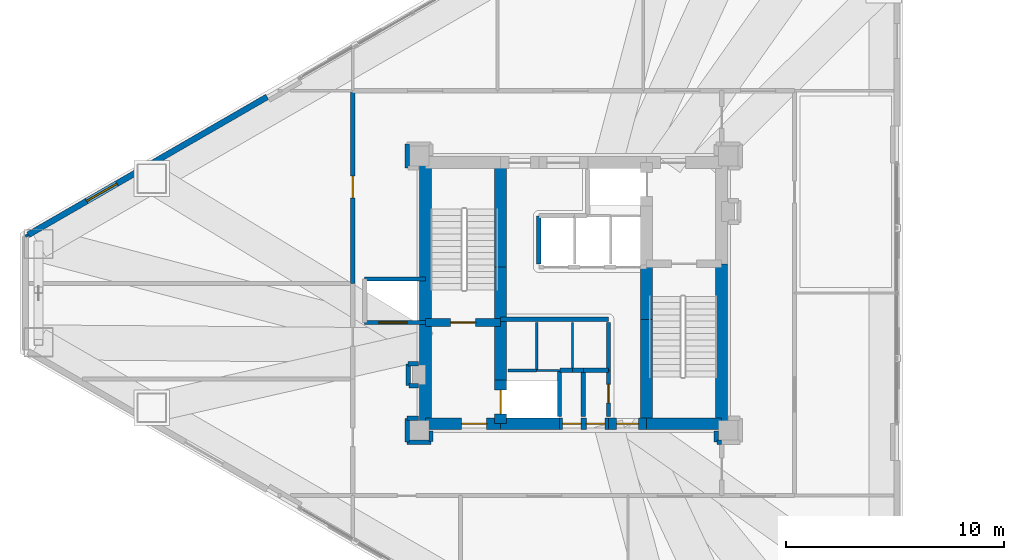
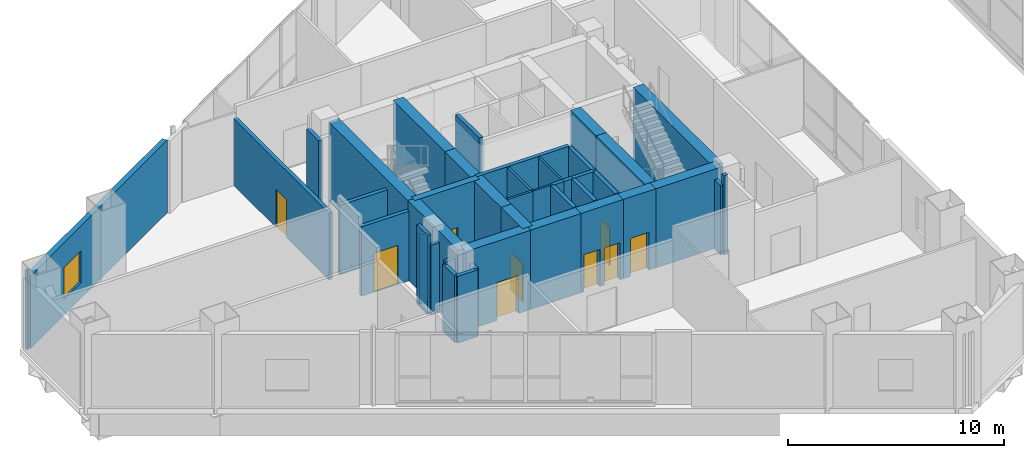
# One storey, part 22 of 29: 43 walls, 9 doors, 1 window, 10 openings.
"""IFC4 building model written with IfcOpenShell, lengths in metres."""

from ifc_helpers import new_model, si_unit, direction, frame, frame_2d, origin, place, context, subcontext, project, spatial, rectangle, extrude, material, layer, layer_set, type_object, element, fill, save


model = new_model("IFC4")

# Units and contexts
model_context = context("Model", 3, precision=1e-05, world=origin(), true_north=direction((0.0, 1.0)))
body_context = subcontext(model_context, "Body", "Model", "MODEL_VIEW")
ifc_project = project(units=[si_unit("LENGTHUNIT", "METRE"), si_unit("AREAUNIT", "SQUARE_METRE"), si_unit("VOLUMEUNIT", "CUBIC_METRE"), si_unit("PLANEANGLEUNIT", "RADIAN"), si_unit("MASSUNIT", "GRAM", prefix="KILO")], contexts=[model_context])

# Site, building, storey
site_placement = place(None, origin())
site = spatial("IfcSite", under=ifc_project, at=site_placement, CompositionType="ELEMENT")
building_placement = place(site_placement, origin())
building = spatial("IfcBuilding", under=site, at=building_placement, Name="Mersakhor Tower and Convention Hall", CompositionType="ELEMENT")
storey_placement = place(building_placement, frame((0.0, 0.0, 9.60009765625)))
storey = spatial("IfcBuildingStorey", under=building, at=storey_placement, Name="L02", CompositionType="ELEMENT", Elevation=9.60009765625)

# Wall, opening, window
ifc_material_1 = material(Name="Precast concrete C45/55", Category="concrete")
ifc_layer_1 = layer(ifc_material_1, 0.27490234375)
ifc_layer_set_1 = layer_set([ifc_layer_1], Name="Precast concrete C45/55")
wall_type_1 = type_object("IfcWallType", Name="WL-EXT-275", PredefinedType="SOLIDWALL", material=ifc_layer_set_1)
wall_1_placement = place(storey_placement, frame((3.943115234375, 29.4306640625, 0.0), z_axis=(0.0, 0.0, 1.0), x_axis=(0.866027105532, 0.499997052475, 0.0)))
wall_1 = element("IfcWall", 1, at=wall_1_placement, inside=storey, type_object=wall_type_1, Name="L02 Exterior Facade Wall F1-B1", PredefinedType="SOLIDWALL", context=body_context, shape_type="SweptSolid", body=[
    extrude(rectangle(XDim=12.6728515625, YDim=0.27490234375, at=frame_2d((6.33642578125, 0.0))), origin(), (0.0, 0.0, 1.0), 4.099853515625),
])
opening_1_placement = place(wall_1_placement, frame((3.10009765625, 0.0, 0.89990234375)))
opening_1 = element("IfcOpeningElement", 2, at=opening_1_placement, cuts=wall_1, Name="Opening W-07", PredefinedType="OPENING", context=body_context, shape_type="SweptSolid", body=[
    extrude(rectangle(XDim=1.60009765625, YDim=1.800048828125, at=frame_2d((0.800048828125, 0.89990234375))), frame((0.0, 0.1474609375, 0.0), z_axis=(0.0, -1.0, 0.0), x_axis=(1.0, 0.0, 0.0)), (0.0, 0.0, 1.0), 0.294921875),
])
ifc_material_2 = material(Name="Dark solar low-E glazed aluminium window", Category="aluminium")
window_type = type_object("IfcWindowType", Name="WN-CLN-160x180", PartitioningType="SINGLE_PANEL", PredefinedType="WINDOW", material=ifc_material_2)
window_placement = place(opening_1_placement, origin())
window = element("IfcWindow", 3, at=window_placement, inside=storey, type_object=window_type, Name="L02 Facade Punched Window F1-B1", OverallHeight=1.800048828125, OverallWidth=1.60009765625, PartitioningType="SINGLE_PANEL", PredefinedType="WINDOW", context=body_context, shape_type="SweptSolid", body=[
    extrude(rectangle(XDim=1.60009765625, YDim=1.800048828125, at=frame_2d((0.800048828125, 0.89990234375))), frame((0.0, 0.030029296875, 0.0), z_axis=(0.0, -1.0, 0.0), x_axis=(1.0, 0.0, 0.0)), (0.0, 0.0, 1.0), 0.06005859375),
])
fill(opening_1, window)

# Walls
ifc_material_3 = material(Name="Lightweight gypsum partition", Category="other")
ifc_layer_2 = layer(ifc_material_3, 0.10009765625)
ifc_layer_set_2 = layer_set([ifc_layer_2], Name="Lightweight gypsum partition")
wall_type_2 = type_object("IfcWallType", Name="WL-PRT-100", PredefinedType="PARTITIONING", material=ifc_layer_set_2)
wall_2_placement = place(storey_placement, frame((27.300048828125, 23.199951171875, 0.0), z_axis=(0.0, 0.0, 1.0), x_axis=(1.0, 0.0, 0.0)))
element("IfcWall", 4, at=wall_2_placement, inside=storey, type_object=wall_type_2, Name="L02 Interior Partition Wall P-002", PredefinedType="PARTITIONING", context=body_context, shape_type="SweptSolid", body=[
    extrude(rectangle(XDim=1.050048828125, YDim=0.10009765625, at=frame_2d((0.52490234375, 0.0))), origin(), (0.0, 0.0, 1.0), 4.47998046875),
])
wall_3_placement = place(storey_placement, frame((28.949951171875, 25.39990234375, 0.0), z_axis=(0.0, 0.0, 1.0), x_axis=(0.0, -1.0, 0.0)))
element("IfcWall", 5, at=wall_3_placement, inside=storey, type_object=wall_type_2, Name="L02 Interior Partition Wall P-008", PredefinedType="PARTITIONING", context=body_context, shape_type="SweptSolid", body=[
    extrude(rectangle(XDim=2.199951171875, YDim=0.10009765625, at=frame_2d((1.10009765625, 0.0))), origin(), (0.0, 0.0, 1.0), 4.47998046875),
])
ifc_material_4 = material(Name="Gypsum board acoustic partition", Category="other")
ifc_layer_3 = layer(ifc_material_4, 0.125)
ifc_layer_set_3 = layer_set([ifc_layer_3], Name="Gypsum board acoustic partition")
wall_type_3 = type_object("IfcWallType", Name="WL-PRT-125", PredefinedType="PARTITIONING", material=ifc_layer_set_3)
wall_4_placement = place(storey_placement, frame((25.97509765625, 23.199951171875, 0.0), z_axis=(0.0, 0.0, 1.0), x_axis=(1.0, 0.0, 0.0)))
element("IfcWall", 6, at=wall_4_placement, inside=storey, type_object=wall_type_3, Name="L02 Interior Partition Wall P-001", PredefinedType="PARTITIONING", context=body_context, shape_type="SweptSolid", body=[
    extrude(rectangle(XDim=1.324951171875, YDim=0.125, at=frame_2d((0.66259765625, 0.0))), origin(), (0.0, 0.0, 1.0), 4.47998046875),
])
wall_5_placement = place(storey_placement, frame((27.300048828125, 25.39990234375, 0.0), z_axis=(0.0, 0.0, 1.0), x_axis=(0.0, -1.0, 0.0)))
element("IfcWall", 7, at=wall_5_placement, inside=storey, type_object=wall_type_3, Name="L02 Interior Partition Wall P-007", PredefinedType="PARTITIONING", context=body_context, shape_type="SweptSolid", body=[
    extrude(rectangle(XDim=2.199951171875, YDim=0.125, at=frame_2d((1.10009765625, 0.0))), origin(), (0.0, 0.0, 1.0), 4.47998046875),
])
wall_6_placement = place(storey_placement, frame((3.81298828125, 29.35595703125, 0.0), z_axis=(0.0, 0.0, 1.0), x_axis=(0.866131372301, 0.499816412211, 0.0)))
element("IfcWall", 8, at=wall_6_placement, inside=storey, type_object=wall_type_3, Name="L02 Interior Partition Wall P-105", PredefinedType="PARTITIONING", context=body_context, shape_type="SweptSolid", body=[
    extrude(rectangle(XDim=0.14990234375, YDim=0.125, at=frame_2d((0.074951171875, 0.0))), origin(), (0.0, 0.0, 1.0), 4.47998046875),
])
ifc_material_5 = material(Name="Acoustic concrete blockwork and gypsum board", Category="masonry")
ifc_layer_4 = layer(ifc_material_5, 0.199951171875)
ifc_layer_set_4 = layer_set([ifc_layer_4], Name="Acoustic concrete blockwork and gypsum board")
wall_type_4 = type_object("IfcWallType", Name="WL-PRT-200", PredefinedType="PARTITIONING", material=ifc_layer_set_4)
wall_7_placement = place(storey_placement, frame((25.64990234375, 25.550048828125, 0.0), z_axis=(0.0, 0.0, 1.0), x_axis=(1.0, 0.0, 0.0)))
element("IfcWall", 9, at=wall_7_placement, inside=storey, type_object=wall_type_4, Name="L02 High-Rise Lift Bank Front Wall", PredefinedType="PARTITIONING", context=body_context, shape_type="SweptSolid", body=[
    extrude(rectangle(XDim=4.9501953125, YDim=0.199951171875, at=frame_2d((2.47509765625, 0.0))), origin(), (0.0, 0.0, 1.0), 4.47998046875),
])
wall_8_placement = place(storey_placement, frame((19.39990234375, 27.39990234375, 0.0), z_axis=(0.0, 0.0, 1.0), x_axis=(1.0, 0.0, 0.0)))
element("IfcWall", 10, at=wall_8_placement, inside=storey, type_object=wall_type_4, Name="L02 Clinic Lift North Wall", PredefinedType="PARTITIONING", context=body_context, shape_type="SweptSolid", body=[
    extrude(rectangle(XDim=2.800048828125, YDim=0.199951171875, at=frame_2d((1.39990234375, 0.0))), origin(), (0.0, 0.0, 1.0), 3.92822265625),
])

# Wall, opening, door
wall_9_placement = place(storey_placement, frame((22.199951171875, 25.39990234375, 0.0), z_axis=(0.0, 0.0, 1.0), x_axis=(-1.0, 0.0, 0.0)))
wall_9 = element("IfcWall", 11, at=wall_9_placement, inside=storey, type_object=wall_type_4, Name="L02 Clinic Lift Front Wall", PredefinedType="PARTITIONING", context=body_context, shape_type="SweptSolid", body=[
    extrude(rectangle(XDim=2.800048828125, YDim=0.199951171875, at=frame_2d((1.39990234375, 0.0))), origin(), (0.0, 0.0, 1.0), 3.92822265625),
])
opening_2_placement = place(wall_9_placement, frame((0.85009765625, 0.0, 0.0)))
opening_2 = element("IfcOpeningElement", 12, at=opening_2_placement, cuts=wall_9, Name="Opening LD-CL1", PredefinedType="OPENING", context=body_context, shape_type="SweptSolid", body=[
    extrude(rectangle(XDim=1.300048828125, YDim=2.199951171875, at=frame_2d((0.64990234375, 1.10009765625))), frame((0.0, 0.10986328125, 0.0), z_axis=(0.0, -1.0, 0.0), x_axis=(1.0, 0.0, 0.0)), (0.0, 0.0, 1.0), 0.219970703125),
])
ifc_material_6 = material(Name="Fire-rated brushed stainless steel sliding landing door", Category="steel")
door_type_1 = type_object("IfcDoorType", Name="DR-LIFT-SLD-130x220", OperationType="NOTDEFINED", PredefinedType="DOOR", material=ifc_material_6)
door_1_placement = place(opening_2_placement, origin())
door_1 = element("IfcDoor", 13, at=door_1_placement, inside=storey, type_object=door_type_1, Name="L02 Clinic Stretcher Lift Landing Door LD-CL1", OperationType="SLIDING_TO_LEFT", OverallHeight=2.199951171875, OverallWidth=1.300048828125, PredefinedType="DOOR", context=body_context, shape_type="SweptSolid", body=[
    extrude(rectangle(XDim=1.300048828125, YDim=2.199951171875, at=frame_2d((0.64990234375, 1.10009765625))), frame((0.0, 0.02490234375, 0.0), z_axis=(0.0, -1.0, 0.0), x_axis=(1.0, 0.0, 0.0)), (0.0, 0.0, 1.0), 0.050048828125),
])
fill(opening_2, door_1)

# Walls
wall_10_placement = place(storey_placement, frame((28.35009765625, 23.199951171875, 0.0), z_axis=(0.0, 0.0, 1.0), x_axis=(0.0, -1.0, 0.0)))
element("IfcWall", 14, at=wall_10_placement, inside=storey, type_object=wall_type_4, Name="L02 Interior Partition Wall P-003", PredefinedType="PARTITIONING", context=body_context, shape_type="SweptSolid", body=[
    extrude(rectangle(XDim=2.125, YDim=0.199951171875, at=frame_2d((1.0625, 0.0))), origin(), (0.0, 0.0, 1.0), 4.47998046875),
])
wall_11_placement = place(storey_placement, frame((28.949951171875, 23.199951171875, 0.0), z_axis=(0.0, 0.0, 1.0), x_axis=(-1.0, 0.0, 0.0)))
element("IfcWall", 15, at=wall_11_placement, inside=storey, type_object=wall_type_4, Name="L02 Interior Partition Wall P-009", PredefinedType="PARTITIONING", context=body_context, shape_type="SweptSolid", body=[
    extrude(rectangle(XDim=0.570068359375, YDim=0.199951171875, at=frame_2d((0.28515625, 0.0))), origin(), (0.0, 0.0, 1.0), 4.47998046875),
])
wall_12_placement = place(storey_placement, frame((30.60009765625, 25.39990234375, 0.0), z_axis=(0.0, 0.0, 1.0), x_axis=(0.0, -1.0, 0.0)))
element("IfcWall", 16, at=wall_12_placement, inside=storey, type_object=wall_type_4, Name="L02 Interior Partition Wall P-010", PredefinedType="PARTITIONING", context=body_context, shape_type="SweptSolid", body=[
    extrude(rectangle(XDim=2.199951171875, YDim=0.199951171875, at=frame_2d((1.10009765625, 0.0))), origin(), (0.0, 0.0, 1.0), 4.47998046875),
])
wall_13_placement = place(storey_placement, frame((30.60009765625, 23.199951171875, 0.0), z_axis=(0.0, 0.0, 1.0), x_axis=(-1.0, 0.0, 0.0)))
element("IfcWall", 17, at=wall_13_placement, inside=storey, type_object=wall_type_4, Name="L02 Interior Partition Wall P-011", PredefinedType="PARTITIONING", context=body_context, shape_type="SweptSolid", body=[
    extrude(rectangle(XDim=1.150146484375, YDim=0.199951171875, at=frame_2d((0.5751953125, 0.0))), origin(), (0.0, 0.0, 1.0), 4.47998046875),
])
wall_14_placement = place(storey_placement, frame((29.449951171875, 23.199951171875, 0.0), z_axis=(0.0, 0.0, 1.0), x_axis=(-1.0, 0.0, 0.0)))
element("IfcWall", 18, at=wall_14_placement, inside=storey, type_object=wall_type_4, Name="L02 Interior Partition Wall P-012", PredefinedType="PARTITIONING", context=body_context, shape_type="SweptSolid", body=[
    extrude(rectangle(XDim=0.5, YDim=0.199951171875, at=frame_2d((0.25, 0.0))), origin(), (0.0, 0.0, 1.0), 4.47998046875),
])
wall_15_placement = place(storey_placement, frame((27.39990234375, 28.10009765625, 0.0), z_axis=(0.0, 0.0, 1.0), x_axis=(0.0, 1.0, 0.0)))
element("IfcWall", 19, at=wall_15_placement, inside=storey, type_object=wall_type_4, Name="L02 Interior Partition Wall P-015", PredefinedType="PARTITIONING", context=body_context, shape_type="SweptSolid", body=[
    extrude(rectangle(XDim=2.199951171875, YDim=0.199951171875, at=frame_2d((1.10009765625, 0.0))), origin(), (0.0, 0.0, 1.0), 4.47998046875),
])

# Wall, opening, door
wall_16_placement = place(storey_placement, frame((30.60009765625, 21.074951171875, 0.0), z_axis=(0.0, 0.0, 1.0), x_axis=(0.0, 1.0, 0.0)))
wall_16 = element("IfcWall", 20, at=wall_16_placement, inside=storey, type_object=wall_type_4, Name="L02 Interior Partition Wall P-018", PredefinedType="PARTITIONING", context=body_context, shape_type="SweptSolid", body=[
    extrude(rectangle(XDim=2.125, YDim=0.199951171875, at=frame_2d((1.0625, 0.0))), origin(), (0.0, 0.0, 1.0), 4.47998046875),
])
opening_3_placement = place(wall_16_placement, frame((0.637451171875, 0.0, 0.0)))
opening_3 = element("IfcOpeningElement", 21, at=opening_3_placement, cuts=wall_16, Name="Opening SVD-01", PredefinedType="OPENING", context=body_context, shape_type="SweptSolid", body=[
    extrude(rectangle(XDim=0.85009765625, YDim=2.10009765625, at=frame_2d((0.425048828125, 1.050048828125))), frame((0.0, 0.10986328125, 0.0), z_axis=(0.0, -1.0, 0.0), x_axis=(1.0, 0.0, 0.0)), (0.0, 0.0, 1.0), 0.219970703125),
])
ifc_material_7 = material(Name="Fire-rated hardwood leaf and painted steel frame", Category="steel")
door_type_2 = type_object("IfcDoorType", Name="DR-INT-SVC-085x210", OperationType="NOTDEFINED", PredefinedType="DOOR", material=ifc_material_7)
door_2_placement = place(opening_3_placement, origin())
door_2 = element("IfcDoor", 22, at=door_2_placement, inside=storey, type_object=door_type_2, Name="L02 Central Passenger Lift Lobby to Core Maintenance Store Room Door", OperationType="SINGLE_SWING_RIGHT", OverallHeight=2.10009765625, OverallWidth=0.85009765625, PredefinedType="DOOR", context=body_context, shape_type="SweptSolid", body=[
    extrude(rectangle(XDim=0.85009765625, YDim=2.10009765625, at=frame_2d((0.425048828125, 1.050048828125))), frame((0.0, 0.02490234375, 0.0), z_axis=(0.0, -1.0, 0.0), x_axis=(1.0, 0.0, 0.0)), (0.0, 0.0, 1.0), 0.050048828125),
])
fill(opening_3, door_2)

# Walls
wall_17_placement = place(storey_placement, frame((21.875, 21.0, 0.0), z_axis=(0.0, 0.0, 1.0), x_axis=(-1.0, 0.0, 0.0)))
element("IfcWall", 23, at=wall_17_placement, inside=storey, type_object=wall_type_4, Name="L02 Interior Partition Wall P-036", PredefinedType="PARTITIONING", context=body_context, shape_type="SweptSolid", body=[
    extrude(rectangle(XDim=0.52490234375, YDim=0.199951171875, at=frame_2d((0.262451171875, 0.0))), origin(), (0.0, 0.0, 1.0), 3.92822265625),
])
wall_18_placement = place(storey_placement, frame((21.35009765625, 21.0, 0.0), z_axis=(0.0, 0.0, 1.0), x_axis=(0.0, -1.0, 0.0)))
element("IfcWall", 24, at=wall_18_placement, inside=storey, type_object=wall_type_4, Name="L02 Interior Partition Wall P-037", PredefinedType="PARTITIONING", context=body_context, shape_type="SweptSolid", body=[
    extrude(rectangle(XDim=1.10009765625, YDim=0.199951171875, at=frame_2d((0.550048828125, 0.0))), origin(), (0.0, 0.0, 1.0), 3.77734375),
])
wall_19_placement = place(storey_placement, frame((21.35009765625, 19.89990234375, 0.0), z_axis=(0.0, 0.0, 1.0), x_axis=(1.0, 0.0, 0.0)))
element("IfcWall", 25, at=wall_19_placement, inside=storey, type_object=wall_type_4, Name="L02 Interior Partition Wall P-038", PredefinedType="PARTITIONING", context=body_context, shape_type="SweptSolid", body=[
    extrude(rectangle(XDim=1.099853515625, YDim=0.199951171875, at=frame_2d((0.5498046875, 0.0))), origin(), (0.0, 0.0, 1.0), 3.77734375),
])
wall_20_placement = place(storey_placement, frame((22.449951171875, 19.929931640625, 0.0), z_axis=(0.0, 0.0, 1.0), x_axis=(0.0, 1.0, 0.0)))
element("IfcWall", 26, at=wall_20_placement, inside=storey, type_object=wall_type_4, Name="L02 Interior Partition Wall P-039", PredefinedType="PARTITIONING", context=body_context, shape_type="SweptSolid", body=[
    extrude(rectangle(XDim=0.4951171875, YDim=0.199951171875, at=frame_2d((0.24755859375, 0.0))), origin(), (0.0, 0.0, 1.0), 3.77734375),
])
wall_21_placement = place(storey_placement, frame((35.550048828125, 20.425048828125, 0.0), z_axis=(0.0, 0.0, 1.0), x_axis=(0.0, -1.0, 0.0)))
element("IfcWall", 27, at=wall_21_placement, inside=storey, type_object=wall_type_4, Name="L02 Interior Partition Wall P-040", PredefinedType="PARTITIONING", context=body_context, shape_type="SweptSolid", body=[
    extrude(rectangle(XDim=0.525146484375, YDim=0.199951171875, at=frame_2d((0.2626953125, 0.0))), origin(), (0.0, 0.0, 1.0), 3.92822265625),
])
wall_22_placement = place(storey_placement, frame((35.580078125, 19.89990234375, 0.0), z_axis=(0.0, 0.0, 1.0), x_axis=(1.0, 0.0, 0.0)))
element("IfcWall", 28, at=wall_22_placement, inside=storey, type_object=wall_type_4, Name="L02 Interior Partition Wall P-041", PredefinedType="PARTITIONING", context=body_context, shape_type="SweptSolid", body=[
    extrude(rectangle(XDim=0.219970703125, YDim=0.199951171875, at=frame_2d((0.10986328125, 0.0))), origin(), (0.0, 0.0, 1.0), 4.47998046875),
])

# Wall, opening, door
wall_23_placement = place(storey_placement, frame((18.85009765625, 27.199951171875, 0.0), z_axis=(0.0, 0.0, 1.0), x_axis=(0.0, 1.0, 0.0)))
wall_23 = element("IfcWall", 29, at=wall_23_placement, inside=storey, type_object=wall_type_4, Name="L02 Interior Partition Wall P-048", PredefinedType="PARTITIONING", context=body_context, shape_type="SweptSolid", body=[
    extrude(rectangle(XDim=8.85009765625, YDim=0.199951171875, at=frame_2d((4.425048828125, 0.0))), origin(), (0.0, 0.0, 1.0), 3.77734375),
])
opening_4_placement = place(wall_23_placement, frame((3.925048828125, 0.0, 0.0)))
opening_4 = element("IfcOpeningElement", 30, at=opening_4_placement, cuts=wall_23, Name="Opening FD-01", PredefinedType="OPENING", context=body_context, shape_type="SweptSolid", body=[
    extrude(rectangle(XDim=1.0, YDim=2.14990234375, at=frame_2d((0.5, 1.074951171875))), frame((0.0, 0.10986328125, 0.0), z_axis=(0.0, -1.0, 0.0), x_axis=(1.0, 0.0, 0.0)), (0.0, 0.0, 1.0), 0.219970703125),
])
ifc_material_8 = material(Name="Fire-rated hardwood leaf and painted steel frame", Category="steel")
door_type_3 = type_object("IfcDoorType", Name="DR-INT-FLT-100x215", OperationType="NOTDEFINED", PredefinedType="DOOR", material=ifc_material_8)
door_3_placement = place(opening_4_placement, origin())
door_3 = element("IfcDoor", 31, at=door_3_placement, inside=storey, type_object=door_type_3, Name="L02 L02 Primary Healthcare Clinical Corridor to Medical Records Administration Office Door", OperationType="SINGLE_SWING_LEFT", OverallHeight=2.14990234375, OverallWidth=1.0, PredefinedType="DOOR", context=body_context, shape_type="SweptSolid", body=[
    extrude(rectangle(XDim=1.0, YDim=2.14990234375, at=frame_2d((0.5, 1.074951171875))), frame((0.0, 0.02490234375, 0.0), z_axis=(0.0, -1.0, 0.0), x_axis=(1.0, 0.0, 0.0)), (0.0, 0.0, 1.0), 0.050048828125),
])
fill(opening_4, door_3)

# Walls
wall_24_placement = place(storey_placement, frame((21.35009765625, 33.60009765625, 0.0), z_axis=(0.0, 0.0, 1.0), x_axis=(0.0, -1.0, 0.0)))
element("IfcWall", 32, at=wall_24_placement, inside=storey, type_object=wall_type_4, Name="L02 Interior Partition Wall P-057", PredefinedType="PARTITIONING", context=body_context, shape_type="SweptSolid", body=[
    extrude(rectangle(XDim=1.10009765625, YDim=0.199951171875, at=frame_2d((0.550048828125, 0.0))), origin(), (0.0, 0.0, 1.0), 3.77734375),
])
wall_25_placement = place(storey_placement, frame((21.875, 23.5, 0.0), z_axis=(0.0, 0.0, 1.0), x_axis=(-1.0, 0.0, 0.0)))
element("IfcWall", 33, at=wall_25_placement, inside=storey, type_object=wall_type_4, Name="L02 Interior Partition Wall P-059", PredefinedType="PARTITIONING", context=body_context, shape_type="SweptSolid", body=[
    extrude(rectangle(XDim=0.47509765625, YDim=0.199951171875, at=frame_2d((0.237548828125, 0.0))), origin(), (0.0, 0.0, 1.0), 3.92822265625),
])
wall_26_placement = place(storey_placement, frame((21.39990234375, 23.5, 0.0), z_axis=(0.0, 0.0, 1.0), x_axis=(0.0, -1.0, 0.0)))
element("IfcWall", 34, at=wall_26_placement, inside=storey, type_object=wall_type_4, Name="L02 Interior Partition Wall P-060", PredefinedType="PARTITIONING", context=body_context, shape_type="SweptSolid", body=[
    extrude(rectangle(XDim=1.0, YDim=0.199951171875, at=frame_2d((0.5, 0.0))), origin(), (0.0, 0.0, 1.0), 4.47998046875),
])
wall_27_placement = place(storey_placement, frame((21.429931640625, 22.5, 0.0), z_axis=(0.0, 0.0, 1.0), x_axis=(1.0, 0.0, 0.0)))
element("IfcWall", 35, at=wall_27_placement, inside=storey, type_object=wall_type_4, Name="L02 Interior Partition Wall P-061", PredefinedType="PARTITIONING", context=body_context, shape_type="SweptSolid", body=[
    extrude(rectangle(XDim=0.445068359375, YDim=0.199951171875, at=frame_2d((0.22265625, 0.0))), origin(), (0.0, 0.0, 1.0), 3.92822265625),
])
wall_28_placement = place(storey_placement, frame((29.449951171875, 23.199951171875, 0.0), z_axis=(0.0, 0.0, 1.0), x_axis=(0.0, -1.0, 0.0)))
element("IfcWall", 36, at=wall_28_placement, inside=storey, type_object=wall_type_4, Name="L02 Interior Partition Wall P-086", PredefinedType="PARTITIONING", context=body_context, shape_type="SweptSolid", body=[
    extrude(rectangle(XDim=2.125, YDim=0.199951171875, at=frame_2d((1.0625, 0.0))), origin(), (0.0, 0.0, 1.0), 4.47998046875),
])

# Wall, opening, door
ifc_material_9 = material(Name="Concrete C50/60", Category="concrete")
ifc_layer_5 = layer(ifc_material_9, 0.35009765625)
ifc_layer_set_5 = layer_set([ifc_layer_5], Name="Concrete C50/60")
wall_type_5 = type_object("IfcWallType", Name="WL-SHR-350", PredefinedType="SHEAR", material=ifc_layer_set_5)
wall_29_placement = place(storey_placement, frame((22.199951171875, 25.39990234375, 0.0), z_axis=(0.0, 0.0, 1.0), x_axis=(1.0, 0.0, 0.0)))
wall_29 = element("IfcWall", 37, at=wall_29_placement, inside=storey, type_object=wall_type_5, Name="L02 Core Wall CS-ST1-S", PredefinedType="SHEAR", context=body_context, shape_type="SweptSolid", body=[
    extrude(rectangle(XDim=3.449951171875, YDim=0.35009765625, at=frame_2d((1.72509765625, 0.0))), origin(), (0.0, 0.0, 1.0), 4.47998046875),
])
opening_5_placement = place(wall_29_placement, frame((1.14990234375, 0.0, 0.0)))
opening_5 = element("IfcOpeningElement", 38, at=opening_5_placement, cuts=wall_29, Name="Opening SD-01", PredefinedType="OPENING", context=body_context, shape_type="SweptSolid", body=[
    extrude(rectangle(XDim=1.14990234375, YDim=2.14990234375, at=frame_2d((0.574951171875, 1.074951171875))), frame((0.0, 0.18505859375, 0.0), z_axis=(0.0, -1.0, 0.0), x_axis=(1.0, 0.0, 0.0)), (0.0, 0.0, 1.0), 0.3701171875),
])
ifc_material_10 = material(Name="Fire-rated hardwood leaf and painted steel frame", Category="steel")
door_type_4 = type_object("IfcDoorType", Name="DR-INT-STAIR-115x215", OperationType="NOTDEFINED", PredefinedType="DOOR", material=ifc_material_10)
door_4_placement = place(opening_5_placement, origin())
door_4 = element("IfcDoor", 39, at=door_4_placement, inside=storey, type_object=door_type_4, Name="L02 Exit Stair ST-1 Enclosure Door", OperationType="SINGLE_SWING_LEFT", OverallHeight=2.14990234375, OverallWidth=1.14990234375, PredefinedType="DOOR", context=body_context, shape_type="SweptSolid", body=[
    extrude(rectangle(XDim=1.14990234375, YDim=2.14990234375, at=frame_2d((0.574951171875, 1.074951171875))), frame((0.0, 0.02490234375, 0.0), z_axis=(0.0, -1.0, 0.0), x_axis=(1.0, 0.0, 0.0)), (0.0, 0.0, 1.0), 0.050048828125),
])
fill(opening_5, door_4)

# Walls
ifc_material_11 = material(Name="Concrete C70/85", Category="concrete")
ifc_layer_6 = layer(ifc_material_11, 0.550048828125)
ifc_layer_set_6 = layer_set([ifc_layer_6], Name="Concrete C70/85")
wall_type_6 = type_object("IfcWallType", Name="WL-SHR-550", PredefinedType="SHEAR", material=ifc_layer_set_6)
wall_30_placement = place(storey_placement, frame((22.199951171875, 20.75, 0.0), z_axis=(0.0, 0.0, 1.0), x_axis=(0.0, 1.0, 0.0)))
element("IfcWall", 40, at=wall_30_placement, inside=storey, type_object=wall_type_6, Name="L02 Core Wall CW-W1", PredefinedType="SHEAR", context=body_context, shape_type="SweptSolid", body=[
    extrude(rectangle(XDim=4.64990234375, YDim=0.550048828125, at=frame_2d((2.324951171875, 0.0))), origin(), (0.0, 0.0, 1.0), 4.47998046875),
])
for number, where, z_axis, x_axis, name in (
    (41, (22.199951171875, 25.39990234375, 0.0), (0.0, 0.0, 1.0), (0.0, 1.0, 0.0), "L02 Core Wall CW-W2"),
    (42, (35.800048828125, 28.10009765625, 0.0), (0.0, 0.0, 1.0), (0.0, -1.0, 0.0), "L02 Core Wall CW-E2"),
):
    element("IfcWall", number, at=place(storey_placement, frame(where, z_axis=z_axis, x_axis=x_axis)), inside=storey, type_object=wall_type_6, Name=name, PredefinedType="SHEAR", context=body_context, shape_type="SweptSolid", body=[
        extrude(rectangle(XDim=7.35009765625, YDim=0.550048828125, at=frame_2d((3.675048828125, 0.0))), origin(), (0.0, 0.0, 1.0), 4.47998046875),
    ])
wall_31_placement = place(storey_placement, frame((35.800048828125, 20.75, 0.0), z_axis=(0.0, 0.0, 1.0), x_axis=(-1.0, 0.0, 0.0)))
element("IfcWall", 43, at=wall_31_placement, inside=storey, type_object=wall_type_6, Name="L02 Core Wall CW-S1", PredefinedType="SHEAR", context=body_context, shape_type="SweptSolid", body=[
    extrude(rectangle(XDim=3.449951171875, YDim=0.550048828125, at=frame_2d((1.72509765625, 0.0))), origin(), (0.0, 0.0, 1.0), 4.47998046875),
])

# Wall, opening, door
wall_32_placement = place(storey_placement, frame((32.35009765625, 20.75, 0.0), z_axis=(0.0, 0.0, 1.0), x_axis=(-1.0, 0.0, 0.0)))
wall_32 = element("IfcWall", 44, at=wall_32_placement, inside=storey, type_object=wall_type_6, Name="L02 Core Wall CW-S2A", PredefinedType="SHEAR", context=body_context, shape_type="SweptSolid", body=[
    extrude(rectangle(XDim=1.75, YDim=0.550048828125, at=frame_2d((0.875, 0.0))), origin(), (0.0, 0.0, 1.0), 4.47998046875),
])
opening_6_placement = place(wall_32_placement, frame((0.375, 0.0, 0.0)))
opening_6 = element("IfcOpeningElement", 45, at=opening_6_placement, cuts=wall_32, Name="Opening CFD-01", PredefinedType="OPENING", context=body_context, shape_type="SweptSolid", body=[
    extrude(rectangle(XDim=1.0, YDim=2.14990234375, at=frame_2d((0.5, 1.074951171875))), frame((0.0, 0.284912109375, 0.0), z_axis=(0.0, -1.0, 0.0), x_axis=(1.0, 0.0, 0.0)), (0.0, 0.0, 1.0), 0.570068359375),
])
ifc_material_12 = material(Name="Fire-rated hardwood leaf and painted steel frame", Category="steel")
door_type_5 = type_object("IfcDoorType", Name="DR-CORE-FD-100x215", OperationType="NOTDEFINED", PredefinedType="DOOR", material=ifc_material_12)
door_5_placement = place(opening_6_placement, origin())
door_5 = element("IfcDoor", 46, at=door_5_placement, inside=storey, type_object=door_type_5, Name="L02 Lift Lobby South Corridor Door", OperationType="SINGLE_SWING_RIGHT", OverallHeight=2.14990234375, OverallWidth=1.0, PredefinedType="DOOR", context=body_context, shape_type="SweptSolid", body=[
    extrude(rectangle(XDim=1.0, YDim=2.14990234375, at=frame_2d((0.5, 1.074951171875))), frame((0.0, 0.02490234375, 0.0), z_axis=(0.0, -1.0, 0.0), x_axis=(1.0, 0.0, 0.0)), (0.0, 0.0, 1.0), 0.050048828125),
])
fill(opening_6, door_5)

# Wall, openings, doors
wall_33_placement = place(storey_placement, frame((30.60009765625, 20.75, 0.0), z_axis=(0.0, 0.0, 1.0), x_axis=(-1.0, 0.0, 0.0)))
wall_33 = element("IfcWall", 47, at=wall_33_placement, inside=storey, type_object=wall_type_6, Name="L02 Core Wall CW-S2B", PredefinedType="SHEAR", context=body_context, shape_type="SweptSolid", body=[
    extrude(rectangle(XDim=2.25, YDim=0.550048828125, at=frame_2d((1.125, 0.0))), origin(), (0.0, 0.0, 1.0), 4.47998046875),
])
opening_7_placement = place(wall_33_placement, frame((1.2548828125, 0.0, 0.0)))
opening_7 = element("IfcOpeningElement", 48, at=opening_7_placement, cuts=wall_33, Name="Opening SVD-01", PredefinedType="OPENING", context=body_context, shape_type="SweptSolid", body=[
    extrude(rectangle(XDim=0.85009765625, YDim=2.10009765625, at=frame_2d((0.425048828125, 1.050048828125))), frame((0.0, 0.284912109375, 0.0), z_axis=(0.0, -1.0, 0.0), x_axis=(1.0, 0.0, 0.0)), (0.0, 0.0, 1.0), 0.570068359375),
])
opening_8_placement = place(wall_33_placement, frame((0.169921875, 0.0, 0.0)))
opening_8 = element("IfcOpeningElement", 49, at=opening_8_placement, cuts=wall_33, Name="Opening SVD-01", PredefinedType="OPENING", context=body_context, shape_type="SweptSolid", body=[
    extrude(rectangle(XDim=0.85009765625, YDim=2.10009765625, at=frame_2d((0.425048828125, 1.050048828125))), frame((0.0, 0.284912109375, 0.0), z_axis=(0.0, -1.0, 0.0), x_axis=(1.0, 0.0, 0.0)), (0.0, 0.0, 1.0), 0.570068359375),
])
door_6_placement = place(opening_7_placement, origin())
door_6 = element("IfcDoor", 50, at=door_6_placement, inside=storey, type_object=door_type_2, Name="L02 L02 Primary Healthcare Clinical Corridor to Sub-Metering Switch Room Door", OperationType="SINGLE_SWING_RIGHT", OverallHeight=2.10009765625, OverallWidth=0.85009765625, PredefinedType="DOOR", context=body_context, shape_type="SweptSolid", body=[
    extrude(rectangle(XDim=0.85009765625, YDim=2.10009765625, at=frame_2d((0.425048828125, 1.050048828125))), frame((0.0, 0.02490234375, 0.0), z_axis=(0.0, -1.0, 0.0), x_axis=(1.0, 0.0, 0.0)), (0.0, 0.0, 1.0), 0.050048828125),
])
fill(opening_7, door_6)
door_7_placement = place(opening_8_placement, origin())
door_7 = element("IfcDoor", 51, at=door_7_placement, inside=storey, type_object=door_type_2, Name="L02 L02 Primary Healthcare Clinical Corridor to Core Maintenance Store Room Door", OperationType="SINGLE_SWING_LEFT", OverallHeight=2.10009765625, OverallWidth=0.85009765625, PredefinedType="DOOR", context=body_context, shape_type="SweptSolid", body=[
    extrude(rectangle(XDim=0.85009765625, YDim=2.10009765625, at=frame_2d((0.425048828125, 1.050048828125))), frame((0.0, 0.02490234375, 0.0), z_axis=(0.0, -1.0, 0.0), x_axis=(1.0, 0.0, 0.0)), (0.0, 0.0, 1.0), 0.050048828125),
])
fill(opening_8, door_7)

# Wall
wall_34_placement = place(storey_placement, frame((28.35009765625, 20.75, 0.0), z_axis=(0.0, 0.0, 1.0), x_axis=(-1.0, 0.0, 0.0)))
element("IfcWall", 52, at=wall_34_placement, inside=storey, type_object=wall_type_6, Name="L02 Core Wall CW-S3", PredefinedType="SHEAR", context=body_context, shape_type="SweptSolid", body=[
    extrude(rectangle(XDim=2.7001953125, YDim=0.550048828125, at=frame_2d((1.35009765625, 0.0))), origin(), (0.0, 0.0, 1.0), 4.47998046875),
])

# Wall, opening, door
wall_35_placement = place(storey_placement, frame((25.64990234375, 20.75, 0.0), z_axis=(0.0, 0.0, 1.0), x_axis=(-1.0, 0.0, 0.0)))
wall_35 = element("IfcWall", 53, at=wall_35_placement, inside=storey, type_object=wall_type_6, Name="L02 Core Wall CW-S4", PredefinedType="SHEAR", context=body_context, shape_type="SweptSolid", body=[
    extrude(rectangle(XDim=3.449951171875, YDim=0.550048828125, at=frame_2d((1.72509765625, 0.0))), origin(), (0.0, 0.0, 1.0), 4.47998046875),
])
opening_9_placement = place(wall_35_placement, frame((0.64990234375, 0.0, 0.0)))
opening_9 = element("IfcOpeningElement", 54, at=opening_9_placement, cuts=wall_35, Name="Opening SD-01", PredefinedType="OPENING", context=body_context, shape_type="SweptSolid", body=[
    extrude(rectangle(XDim=1.14990234375, YDim=2.14990234375, at=frame_2d((0.574951171875, 1.074951171875))), frame((0.0, 0.284912109375, 0.0), z_axis=(0.0, -1.0, 0.0), x_axis=(1.0, 0.0, 0.0)), (0.0, 0.0, 1.0), 0.570068359375),
])
door_8_placement = place(opening_9_placement, origin())
door_8 = element("IfcDoor", 55, at=door_8_placement, inside=storey, type_object=door_type_4, Name="L02 Firefighting Lobby West Fire Door", OperationType="SINGLE_SWING_LEFT", OverallHeight=2.14990234375, OverallWidth=1.14990234375, PredefinedType="DOOR", context=body_context, shape_type="SweptSolid", body=[
    extrude(rectangle(XDim=1.14990234375, YDim=2.14990234375, at=frame_2d((0.574951171875, 1.074951171875))), frame((0.0, 0.02490234375, 0.0), z_axis=(0.0, -1.0, 0.0), x_axis=(1.0, 0.0, 0.0)), (0.0, 0.0, 1.0), 0.050048828125),
])
fill(opening_9, door_8)

wall_36_placement = place(storey_placement, frame((25.64990234375, 20.75, 0.0), z_axis=(0.0, 0.0, 1.0), x_axis=(0.0, 1.0, 0.0)))
wall_36 = element("IfcWall", 56, at=wall_36_placement, inside=storey, type_object=wall_type_6, Name="L02 Core Wall CS-W-FFL", PredefinedType="SHEAR", context=body_context, shape_type="SweptSolid", body=[
    extrude(rectangle(XDim=2.0, YDim=0.550048828125, at=frame_2d((1.0, 0.0))), origin(), (0.0, 0.0, 1.0), 4.47998046875),
])
opening_10_placement = place(wall_36_placement, frame((0.449951171875, 0.0, 0.0)))
opening_10 = element("IfcOpeningElement", 57, at=opening_10_placement, cuts=wall_36, Name="Opening LD-FFL1", PredefinedType="OPENING", context=body_context, shape_type="SweptSolid", body=[
    extrude(rectangle(XDim=1.10009765625, YDim=2.14990234375, at=frame_2d((0.550048828125, 1.074951171875))), frame((0.0, 0.284912109375, 0.0), z_axis=(0.0, -1.0, 0.0), x_axis=(1.0, 0.0, 0.0)), (0.0, 0.0, 1.0), 0.570068359375),
])
ifc_material_13 = material(Name="Fire-rated brushed stainless steel sliding landing door", Category="steel")
door_type_6 = type_object("IfcDoorType", Name="DR-LIFT-SLD-110x215", OperationType="NOTDEFINED", PredefinedType="DOOR", material=ifc_material_13)
door_9_placement = place(opening_10_placement, origin())
door_9 = element("IfcDoor", 58, at=door_9_placement, inside=storey, type_object=door_type_6, Name="L02 Firefighting Lift Landing Door LD-FFL1", OperationType="SLIDING_TO_LEFT", OverallHeight=2.14990234375, OverallWidth=1.10009765625, PredefinedType="DOOR", context=body_context, shape_type="SweptSolid", body=[
    extrude(rectangle(XDim=1.10009765625, YDim=2.14990234375, at=frame_2d((0.550048828125, 1.074951171875))), frame((0.0, 0.02490234375, 0.0), z_axis=(0.0, -1.0, 0.0), x_axis=(1.0, 0.0, 0.0)), (0.0, 0.0, 1.0), 0.050048828125),
])
fill(opening_10, door_9)

# Walls
wall_37_placement = place(storey_placement, frame((25.64990234375, 22.75, 0.0), z_axis=(0.0, 0.0, 1.0), x_axis=(0.0, 1.0, 0.0)))
element("IfcWall", 59, at=wall_37_placement, inside=storey, type_object=wall_type_6, Name="L02 Core Wall CS-W-MID", PredefinedType="SHEAR", context=body_context, shape_type="SweptSolid", body=[
    extrude(rectangle(XDim=2.800048828125, YDim=0.550048828125, at=frame_2d((1.39990234375, 0.0))), origin(), (0.0, 0.0, 1.0), 4.47998046875),
])
wall_38_placement = place(storey_placement, frame((25.64990234375, 25.550048828125, 0.0), z_axis=(0.0, 0.0, 1.0), x_axis=(0.0, 1.0, 0.0)))
element("IfcWall", 60, at=wall_38_placement, inside=storey, type_object=wall_type_6, Name="L02 Core Wall CS-W-LOB", PredefinedType="SHEAR", context=body_context, shape_type="SweptSolid", body=[
    extrude(rectangle(XDim=2.39990234375, YDim=0.550048828125, at=frame_2d((1.199951171875, 0.0))), origin(), (0.0, 0.0, 1.0), 4.47998046875),
])
for number, where, z_axis, x_axis, name in (
    (61, (25.64990234375, 27.949951171875, 0.0), (0.0, 0.0, 1.0), (0.0, 1.0, 0.0), "L02 Core Wall CS-W-ST1"),
    (62, (32.35009765625, 20.75, 0.0), (0.0, 0.0, 1.0), (0.0, 1.0, 0.0), "L02 Core Wall CS-E-ST2"),
):
    element("IfcWall", number, at=place(storey_placement, frame(where, z_axis=z_axis, x_axis=x_axis)), inside=storey, type_object=wall_type_6, Name=name, PredefinedType="SHEAR", context=body_context, shape_type="SweptSolid", body=[
        extrude(rectangle(XDim=4.800048828125, YDim=0.550048828125, at=frame_2d((2.39990234375, 0.0))), origin(), (0.0, 0.0, 1.0), 4.47998046875),
    ])
wall_39_placement = place(storey_placement, frame((32.35009765625, 25.550048828125, 0.0), z_axis=(0.0, 0.0, 1.0), x_axis=(0.0, 1.0, 0.0)))
element("IfcWall", 63, at=wall_39_placement, inside=storey, type_object=wall_type_6, Name="L02 Core Wall CS-E-LOB", PredefinedType="SHEAR", context=body_context, shape_type="SweptSolid", body=[
    extrude(rectangle(XDim=2.39990234375, YDim=0.550048828125, at=frame_2d((1.199951171875, 0.0))), origin(), (0.0, 0.0, 1.0), 4.47998046875),
])

save(model, "model.ifc")
